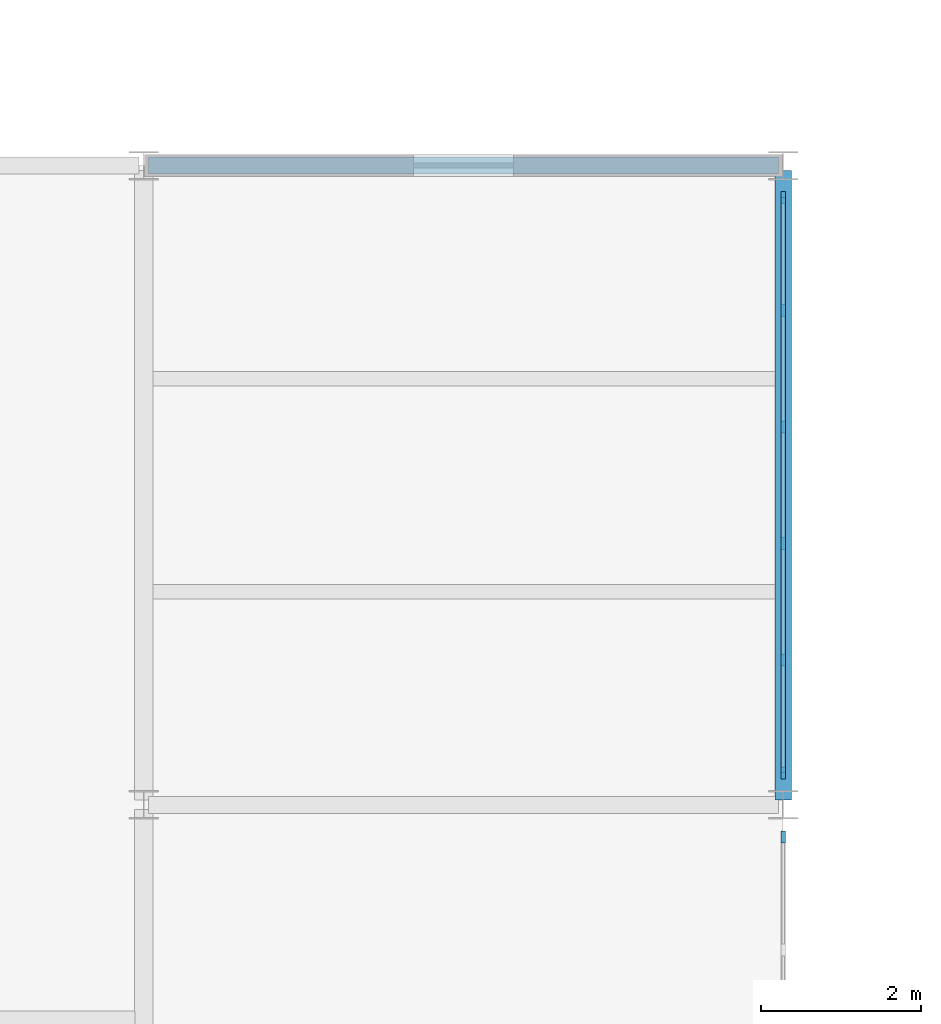
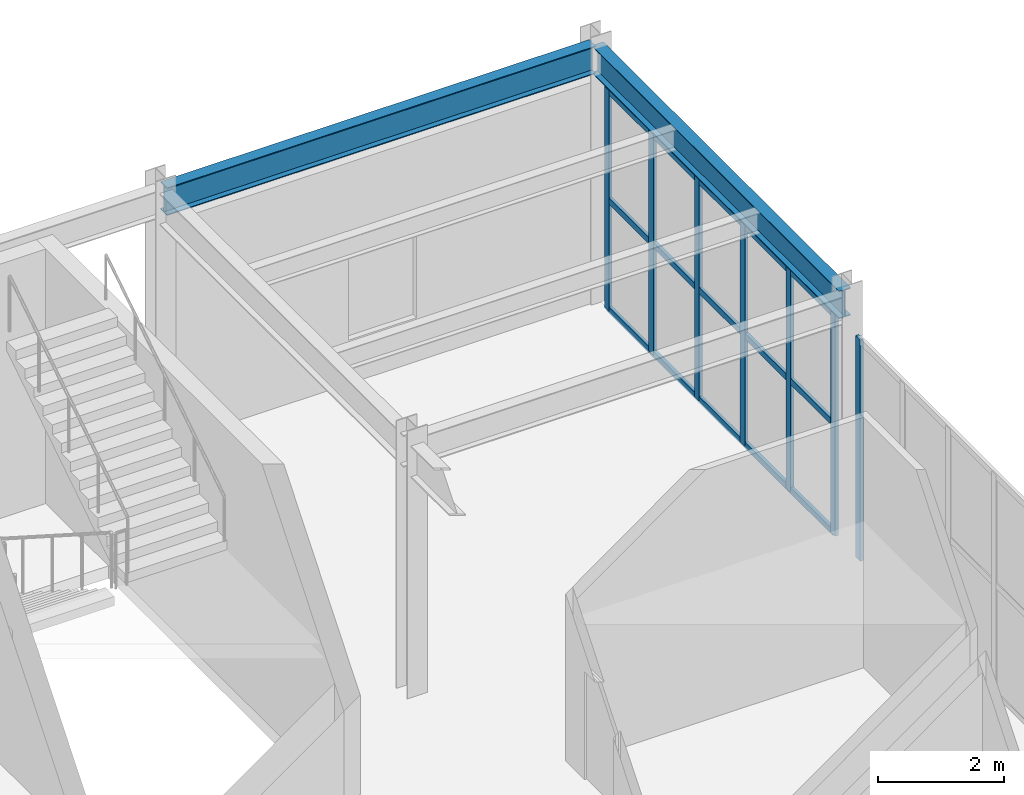
# One storey, part 45 of 77: 10 members, 2 beams, 2 elements without a shape of their own.
"""IFC4 building model written with IfcOpenShell, lengths in metres."""

from ifc_helpers import new_model, si_unit, direction, frame, origin, origin_2d, place, context, subcontext, project, spatial, rectangle, i_section, extrude, material, material_profile, profile_set, type_object, element, aggregate, save


model = new_model("IFC4")

# Units and contexts
model_context = context("Model", 3, precision=1e-05, world=origin(), true_north=direction((0.0, 1.0)))
body_context = subcontext(model_context, "Body", "Model", "MODEL_VIEW")
ifc_project = project(units=[si_unit("LENGTHUNIT", "METRE"), si_unit("AREAUNIT", "SQUARE_METRE"), si_unit("VOLUMEUNIT", "CUBIC_METRE"), si_unit("PLANEANGLEUNIT", "RADIAN"), si_unit("MASSUNIT", "GRAM", prefix="KILO")], contexts=[model_context])

# Site, building, storey
site_placement = place(None, origin())
site = spatial("IfcSite", under=ifc_project, at=site_placement, CompositionType="ELEMENT")
building_placement = place(site_placement, origin())
building = spatial("IfcBuilding", under=site, at=building_placement, Name="Drelvath Fold Interchange", CompositionType="ELEMENT")
storey_placement = place(building_placement, frame((0.0, 0.0, 6.0)))
storey = spatial("IfcBuildingStorey", under=building, at=storey_placement, Name="L01", CompositionType="ELEMENT", Elevation=6.0)

# Beams
ifc_material_1 = material(Name="Steel ASTM A992 Grade 50", Category="steel")
ifc_material_profile_1 = material_profile(ifc_material_1, i_section(OverallWidth=0.2099609375, OverallDepth=0.537109375, WebThickness=0.010986328125, FlangeThickness=0.017333984375, at=origin_2d()), Name="W21X68")
ifc_profile_set_1 = profile_set([ifc_material_profile_1], Name="Steel ASTM A992 Grade 50")
beam_type = type_object("IfcBeamType", Name="BM-W21X68", PredefinedType="SPANDREL", material=ifc_profile_set_1)
for number, where, z_axis, x_axis, name in (
    (1, (134.06005859375, 107.0, 4.680908203125), (1.0, 0.0, 0.0), (0.0, 1.0, 0.0), "L01 Primary X girder BM-W21X68"),
    (2, (142.0, 99.06005859375, 4.680908203125), (0.0, 1.0, 0.0), (-1.0, 0.0, 0.0), "L01 Primary Y girder BM-W21X68"),
):
    element("IfcBeam", number, at=place(storey_placement, frame(where, z_axis=z_axis, x_axis=x_axis)), inside=storey, type_object=beam_type, Name=name, PredefinedType="SPANDREL", context=body_context, shape_type="SweptSolid", body=[
        extrude(i_section(OverallWidth=0.2099609375, OverallDepth=0.537109375, WebThickness=0.010986328125, FlangeThickness=0.017333984375, at=origin_2d()), origin(), (0.0, 0.0, 1.0), 7.8798828125),
    ])

# Curtain wall, member
ifc_material_2 = material(Name="Anodized Aluminium 6063-T6", Category="aluminium")
curtain_wall_type = type_object("IfcCurtainWallType", Name="CW-CYC-430", PredefinedType="USERDEFINED", material=ifc_material_2)
curtain_wall_1_placement = place(storey_placement, origin())
curtain_wall_1 = element("IfcCurtainWall", 3, at=curtain_wall_1_placement, inside=storey, type_object=curtain_wall_type, Name="Curtain wall CW-CYC-L01-E91", ObjectType="UNITISED CURTAIN WALL", PredefinedType="USERDEFINED")
ifc_material_profile_2 = material_profile(ifc_material_2, rectangle(XDim=0.06005859375, YDim=0.14990234375, at=origin_2d()), Name="AL-M 60x150")
ifc_profile_set_2 = profile_set([ifc_material_profile_2], Name="Anodized Aluminium 6063-T6")
member_type_1 = type_object("IfcMemberType", Name="ML-150", PredefinedType="MULLION", material=ifc_profile_set_2)
member_1_placement = place(storey_placement, frame((142.0, 98.60009765625, 0.0), z_axis=(0.0, 0.0, 1.0), x_axis=(1.0, 0.0, 0.0)))
member_1 = element("IfcMember", 4, at=member_1_placement, type_object=member_type_1, Name="CW-CYC-L01-E91 mullion 5", PredefinedType="MULLION", context=body_context, shape_type="SweptSolid", body=[
    extrude(rectangle(XDim=0.06005859375, YDim=0.14990234375, at=origin_2d()), origin(), (0.0, 0.0, 1.0), 4.300048828125),
])
aggregate(curtain_wall_1, [member_1])

# Curtain wall, members
curtain_wall_2_placement = place(storey_placement, origin())
curtain_wall_2 = element("IfcCurtainWall", 5, at=curtain_wall_2_placement, inside=storey, type_object=curtain_wall_type, Name="Curtain wall CW-CYC-L01-E99", ObjectType="UNITISED CURTAIN WALL", PredefinedType="USERDEFINED")
member_2_placement = place(storey_placement, frame((142.0, 99.39990234375, 0.0), z_axis=(0.0, 0.0, 1.0), x_axis=(1.0, 0.0, 0.0)))
member_2 = element("IfcMember", 6, at=member_2_placement, type_object=member_type_1, Name="CW-CYC-L01-E99 mullion 0", PredefinedType="MULLION", context=body_context, shape_type="SweptSolid", body=[
    extrude(rectangle(XDim=0.06005859375, YDim=0.14990234375, at=origin_2d()), origin(), (0.0, 0.0, 1.0), 4.300048828125),
])
member_3_placement = place(storey_placement, frame((142.0, 100.81591796875, 0.0), z_axis=(0.0, 0.0, 1.0), x_axis=(1.0, 0.0, 0.0)))
member_3 = element("IfcMember", 7, at=member_3_placement, type_object=member_type_1, Name="CW-CYC-L01-E99 mullion 1", PredefinedType="MULLION", context=body_context, shape_type="SweptSolid", body=[
    extrude(rectangle(XDim=0.06005859375, YDim=0.14990234375, at=origin_2d()), origin(), (0.0, 0.0, 1.0), 4.300048828125),
])
member_4_placement = place(storey_placement, frame((142.0, 102.27197265625, 0.0), z_axis=(0.0, 0.0, 1.0), x_axis=(1.0, 0.0, 0.0)))
member_4 = element("IfcMember", 8, at=member_4_placement, type_object=member_type_1, Name="CW-CYC-L01-E99 mullion 2", PredefinedType="MULLION", context=body_context, shape_type="SweptSolid", body=[
    extrude(rectangle(XDim=0.06005859375, YDim=0.14990234375, at=origin_2d()), origin(), (0.0, 0.0, 1.0), 4.300048828125),
])
member_5_placement = place(storey_placement, frame((142.0, 103.72802734375, 0.0), z_axis=(0.0, 0.0, 1.0), x_axis=(1.0, 0.0, 0.0)))
member_5 = element("IfcMember", 9, at=member_5_placement, type_object=member_type_1, Name="CW-CYC-L01-E99 mullion 3", PredefinedType="MULLION", context=body_context, shape_type="SweptSolid", body=[
    extrude(rectangle(XDim=0.06005859375, YDim=0.14990234375, at=origin_2d()), origin(), (0.0, 0.0, 1.0), 4.300048828125),
])
member_6_placement = place(storey_placement, frame((142.0, 105.18408203125, 0.0), z_axis=(0.0, 0.0, 1.0), x_axis=(1.0, 0.0, 0.0)))
member_6 = element("IfcMember", 10, at=member_6_placement, type_object=member_type_1, Name="CW-CYC-L01-E99 mullion 4", PredefinedType="MULLION", context=body_context, shape_type="SweptSolid", body=[
    extrude(rectangle(XDim=0.06005859375, YDim=0.14990234375, at=origin_2d()), origin(), (0.0, 0.0, 1.0), 4.300048828125),
])
member_7_placement = place(storey_placement, frame((142.0, 106.60009765625, 0.0), z_axis=(0.0, 0.0, 1.0), x_axis=(1.0, 0.0, 0.0)))
member_7 = element("IfcMember", 11, at=member_7_placement, type_object=member_type_1, Name="CW-CYC-L01-E99 mullion 5", PredefinedType="MULLION", context=body_context, shape_type="SweptSolid", body=[
    extrude(rectangle(XDim=0.06005859375, YDim=0.14990234375, at=origin_2d()), origin(), (0.0, 0.0, 1.0), 4.300048828125),
])
ifc_material_profile_3 = material_profile(ifc_material_2, rectangle(XDim=0.06005859375, YDim=0.1201171875, at=origin_2d()), Name="AL-T 60x120")
ifc_profile_set_3 = profile_set([ifc_material_profile_3], Name="Anodized Aluminium 6063-T6")
member_type_2 = type_object("IfcMemberType", Name="TR-120", PredefinedType="USERDEFINED", material=ifc_profile_set_3)
member_8_placement = place(storey_placement, frame((142.0, 99.39990234375, 0.030029296875), z_axis=(0.0, 1.0, 0.0), x_axis=(-1.0, 0.0, 0.0)))
member_8 = element("IfcMember", 12, at=member_8_placement, type_object=member_type_2, Name="CW-CYC-L01-E99 transom 0", ObjectType="TRANSOM", PredefinedType="USERDEFINED", context=body_context, shape_type="SweptSolid", body=[
    extrude(rectangle(XDim=0.06005859375, YDim=0.1201171875, at=origin_2d()), origin(), (0.0, 0.0, 1.0), 7.2001953125),
])
member_9_placement = place(storey_placement, frame((142.0, 99.39990234375, 2.14990234375), z_axis=(0.0, 1.0, 0.0), x_axis=(-1.0, 0.0, 0.0)))
member_9 = element("IfcMember", 13, at=member_9_placement, type_object=member_type_2, Name="CW-CYC-L01-E99 transom 1", ObjectType="TRANSOM", PredefinedType="USERDEFINED", context=body_context, shape_type="SweptSolid", body=[
    extrude(rectangle(XDim=0.06005859375, YDim=0.1201171875, at=origin_2d()), origin(), (0.0, 0.0, 1.0), 7.2001953125),
])
member_10_placement = place(storey_placement, frame((142.0, 99.39990234375, 4.27001953125), z_axis=(0.0, 1.0, 0.0), x_axis=(-1.0, 0.0, 0.0)))
member_10 = element("IfcMember", 14, at=member_10_placement, type_object=member_type_2, Name="CW-CYC-L01-E99 transom 2", ObjectType="TRANSOM", PredefinedType="USERDEFINED", context=body_context, shape_type="SweptSolid", body=[
    extrude(rectangle(XDim=0.06005859375, YDim=0.1201171875, at=origin_2d()), origin(), (0.0, 0.0, 1.0), 7.2001953125),
])
aggregate(curtain_wall_2, [member_2, member_3, member_4, member_5, member_6, member_7, member_8, member_9, member_10])

save(model, "model.ifc")
